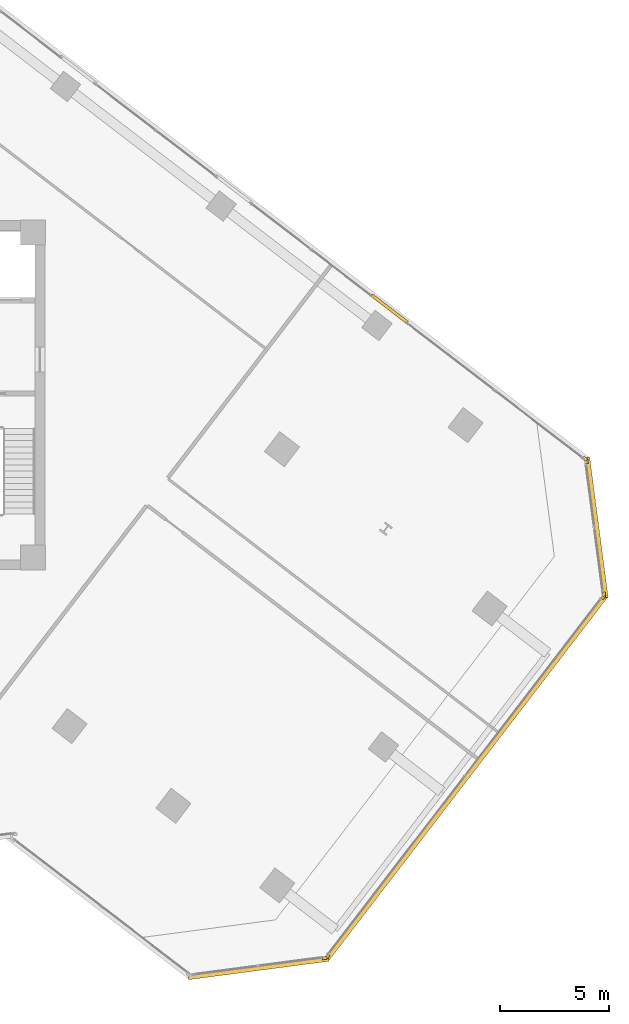
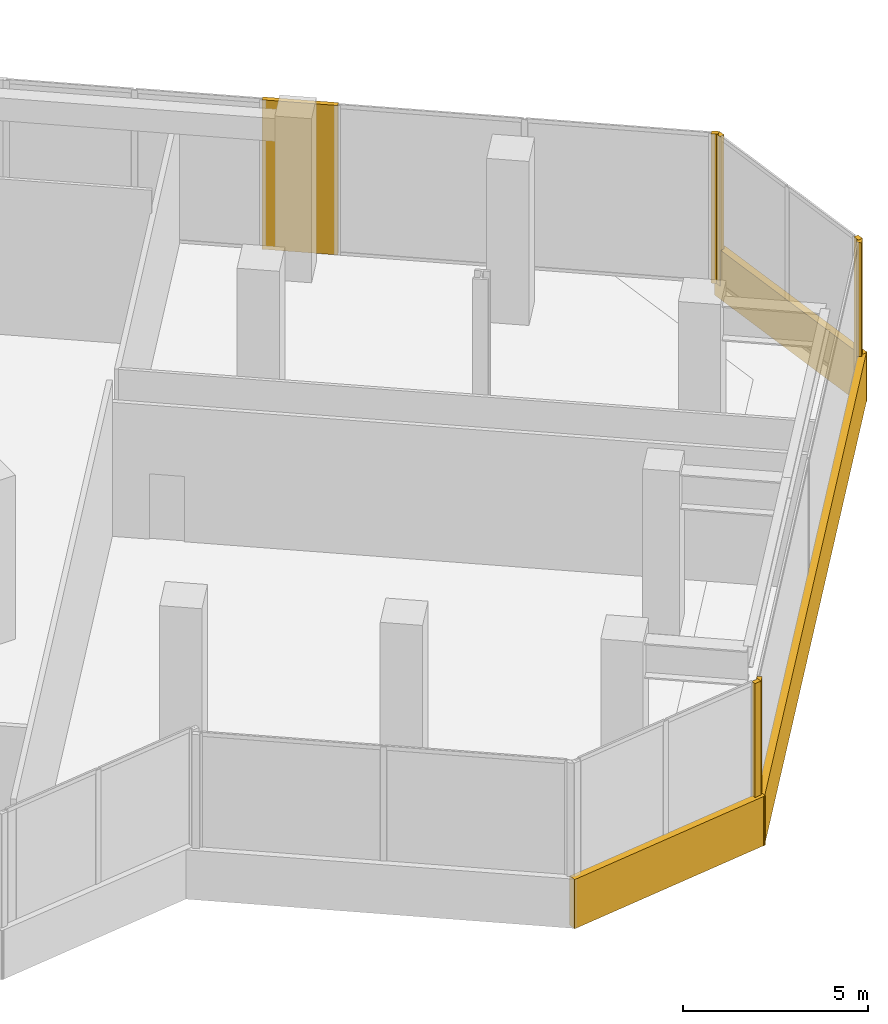
# One storey, part 22 of 23: 10 coverings.
"""IFC4 building model written with IfcOpenShell, lengths in metres."""

from ifc_helpers import new_model, si_unit, direction, frame, origin, origin_2d, place, context, subcontext, project, spatial, rectangle, extrude, source, transform, mapped, material, layer, layer_set, type_object, element, save


model = new_model("IFC4")

# Units and contexts
model_context = context("Model", 3, precision=1e-05, world=origin(), true_north=direction((0.0, 1.0)))
body_context = subcontext(model_context, "Body", "Model", "MODEL_VIEW")
ifc_project = project(units=[si_unit("LENGTHUNIT", "METRE"), si_unit("AREAUNIT", "SQUARE_METRE"), si_unit("VOLUMEUNIT", "CUBIC_METRE"), si_unit("PLANEANGLEUNIT", "RADIAN"), si_unit("MASSUNIT", "GRAM", prefix="KILO")], contexts=[model_context])

# Site, building, storey
site_placement = place(None, origin())
site = spatial("IfcSite", under=ifc_project, at=site_placement, CompositionType="ELEMENT")
building_placement = place(site_placement, origin())
building = spatial("IfcBuilding", under=site, at=building_placement, Name="Torre Montelarca", CompositionType="ELEMENT")
storey_placement = place(building_placement, frame((0.0, 0.0, 204.39990234375)))
storey = spatial("IfcBuildingStorey", under=building, at=storey_placement, Name="L46", CompositionType="ELEMENT", Elevation=204.39990234375)

# Coverings
ifc_material = material(Name="Bush-hammered warm white precast concrete C45/55", Category="concrete")
ifc_layer = layer(ifc_material, 0.139892578125, Name="Bush-hammered warm white precast concrete C45/55", Category="concrete")
ifc_layer_set = layer_set([ifc_layer], Name="Bush-hammered warm white precast concrete C45/55")
covering_type = type_object("IfcCoveringType", Name="COV-TRAY-CLAD", PredefinedType="CLADDING", material=ifc_layer_set)
shared_shape_1 = source(origin(), body_context, "Body", "SweptSolid", [
    extrude(rectangle(XDim=6.48388671875, YDim=0.219970703125, at=origin_2d()), origin(), (0.0, 0.0, 1.0), 1.6201171875),
])
for number, where, z_axis, x_axis, name in (
    (1, (36.7978515625, 5.72998046875, -0.449951171875), (0.0, 0.0, 1.0), (0.991444405745, 0.130529653015, 0.0), "L46 Architectural White Spandrel Tray Band TRYBOT-05"),
    (2, (52.29541015625, 25.9267578125, -0.449951171875), (0.0, 0.0, 1.0), (-0.130531383411, 0.991444177927, 0.0), "L46 Architectural White Spandrel Tray Band TRYBOT-07"),
):
    element("IfcCovering", number, at=place(storey_placement, frame(where, z_axis=z_axis, x_axis=x_axis)), inside=storey, type_object=covering_type, Name=name, PredefinedType="CLADDING", context=body_context, shape_type="MappedRepresentation", body=[
        mapped(shared_shape_1, transform((0.0, 0.0, 0.0), scale=1.0)),
    ])
shared_shape_2 = source(origin(), body_context, "Body", "SweptSolid", [
    extrude(rectangle(XDim=21.1201171875, YDim=0.219970703125, at=origin_2d()), origin(), (0.0, 0.0, 1.0), 1.6201171875),
])
covering_1_placement = place(storey_placement, frame((46.32470703125, 14.464111328125, -0.449951171875), z_axis=(0.0, 0.0, 1.0), x_axis=(0.608762813671, 0.793352277801, 0.0)))
element("IfcCovering", 3, at=covering_1_placement, inside=storey, type_object=covering_type, Name="L46 Architectural White Spandrel Tray Band TRYBOT-06", PredefinedType="CLADDING", context=body_context, shape_type="MappedRepresentation", body=[
    mapped(shared_shape_2, transform((0.0, 0.0, 0.0), scale=1.0)),
])
shared_shape_3 = source(origin(), body_context, "Body", "SweptSolid", [
    extrude(rectangle(XDim=0.199951171875, YDim=0.139892578125, at=origin_2d()), origin(), (0.0, 0.0, 1.0), 4.919921875),
])
for number, where, z_axis, x_axis, name in (
    (4, (39.829833984375, 6.189697265625, 0.000244140625), (0.0, 0.0, 1.0), (0.991444405745, 0.130529653015, 0.0), "L46 Architectural Column Pier Cladding E05-2"),
    (5, (39.95556640625, 6.26220703125, 0.000244140625), (0.0, 0.0, 1.0), (0.608764198331, 0.793351215308, 0.0), "L46 Architectural Column Pier Cladding E06-1"),
    (6, (52.5986328125, 22.73876953125, 0.000244140625), (0.0, 0.0, 1.0), (0.608764198331, 0.793351215308, 0.0), "L46 Architectural Column Pier Cladding E06-2"),
    (7, (52.635986328125, 22.87890625, 0.000244140625), (0.0, 0.0, 1.0), (-0.130531383411, 0.991444177927, 0.0), "L46 Architectural Column Pier Cladding E07-1"),
    (8, (51.835693359375, 28.958740234375, 0.000244140625), (0.0, 0.0, 1.0), (-0.130531383411, 0.991444177927, 0.0), "L46 Architectural Column Pier Cladding E07-2"),
    (9, (51.76318359375, 29.08447265625, 0.000244140625), (0.0, 0.0, 1.0), (-0.793352277801, 0.608762813671, 0.0), "L46 Architectural Column Pier Cladding E08-1"),
):
    element("IfcCovering", number, at=place(storey_placement, frame(where, z_axis=z_axis, x_axis=x_axis)), inside=storey, type_object=covering_type, Name=name, PredefinedType="CLADDING", context=body_context, shape_type="MappedRepresentation", body=[
        mapped(shared_shape_3, transform((0.0, 0.0, 0.0), scale=1.0)),
    ])
shared_shape_4 = source(origin(), body_context, "Body", "SweptSolid", [
    extrude(rectangle(XDim=2.06005859375, YDim=0.139892578125, at=origin_2d()), origin(), (0.0, 0.0, 1.0), 4.919921875),
])
covering_2_placement = place(storey_placement, frame((42.810791015625, 35.953857421875, 0.000244140625), z_axis=(0.0, 0.0, 1.0), x_axis=(-0.793352277801, 0.608762813671, 0.0)))
element("IfcCovering", 10, at=covering_2_placement, inside=storey, type_object=covering_type, Name="L46 Architectural Column Pier Cladding E08-2", PredefinedType="CLADDING", context=body_context, shape_type="MappedRepresentation", body=[
    mapped(shared_shape_4, transform((0.0, 0.0, 0.0), scale=1.0)),
])

save(model, "model.ifc")
